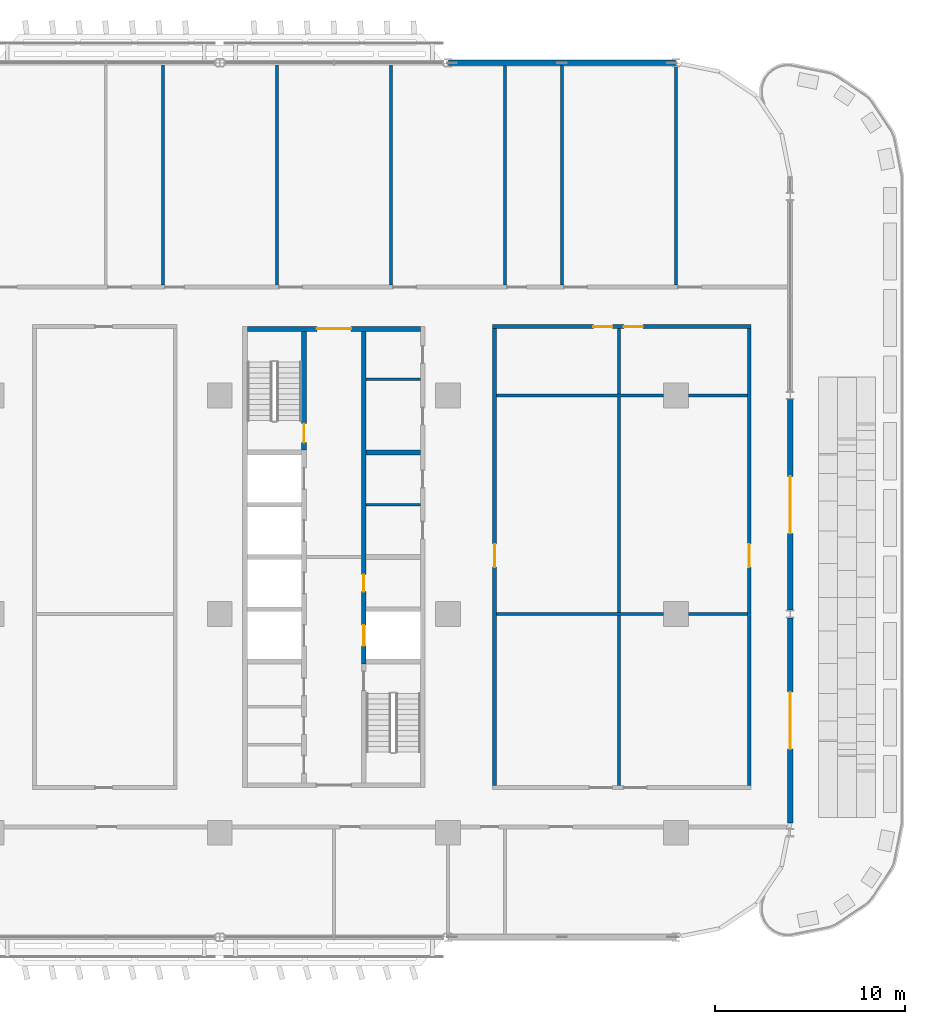
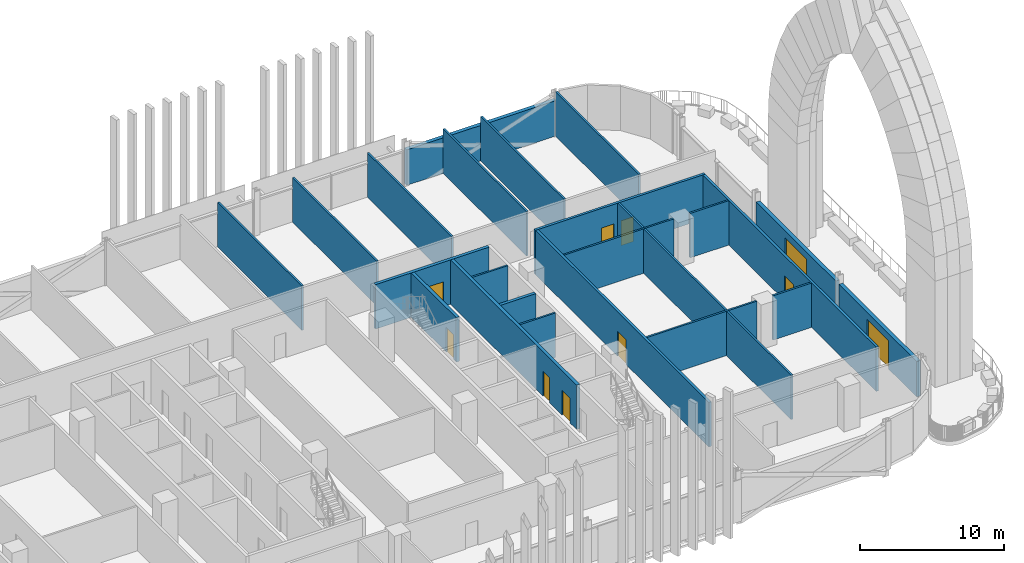
# One storey, part 16 of 33: 23 walls, 10 doors, 10 openings.
"""IFC4 building model written with IfcOpenShell, lengths in metres."""

from ifc_helpers import new_model, si_unit, direction, frame, frame_2d, origin, place, context, subcontext, project, spatial, rectangle, extrude, material, layer, layer_set, type_object, element, fill, save


model = new_model("IFC4")

# Units and contexts
model_context = context("Model", 3, precision=1e-05, world=origin(), true_north=direction((0.0, 1.0)))
body_context = subcontext(model_context, "Body", "Model", "MODEL_VIEW")
ifc_project = project(units=[si_unit("LENGTHUNIT", "METRE"), si_unit("AREAUNIT", "SQUARE_METRE"), si_unit("VOLUMEUNIT", "CUBIC_METRE"), si_unit("PLANEANGLEUNIT", "RADIAN"), si_unit("MASSUNIT", "GRAM", prefix="KILO")], contexts=[model_context])

# Site, building, storey
site_placement = place(None, origin())
site = spatial("IfcSite", under=ifc_project, at=site_placement, CompositionType="ELEMENT")
building_placement = place(site_placement, origin())
building = spatial("IfcBuilding", under=site, at=building_placement, Name="Mahtab Terrace Research Tower", CompositionType="ELEMENT")
storey_placement = place(building_placement, frame((0.0, 0.0, 122.0)))
storey = spatial("IfcBuildingStorey", under=building, at=storey_placement, Name="L28", CompositionType="ELEMENT", Elevation=122.0)

# Walls
ifc_material_1 = material(Name="Gypsum board partition")
ifc_layer_1 = layer(ifc_material_1, 0.14990234375)
ifc_layer_set_1 = layer_set([ifc_layer_1], Name="Core partition 150")
wall_type_1 = type_object("IfcWallType", Name="Core partition 150", PredefinedType="PARTITIONING", material=ifc_layer_set_1)
for number, where, z_axis, x_axis, name in (
    (1, (25.699951171875, 5.75, 0.0), (0.0, 0.0, 1.0), (1.0, 0.0, 0.0), "Core wall C pEL275"),
    (2, (25.699951171875, 12.35498046875, 0.0), (0.0, 0.0, 1.0), (1.0, 0.0, 0.0), "Core wall C pEN936"),
):
    element("IfcWall", number, at=place(storey_placement, frame(where, z_axis=z_axis, x_axis=x_axis)), inside=storey, type_object=wall_type_1, Name=name, PredefinedType="PARTITIONING", context=body_context, shape_type="SweptSolid", body=[
        extrude(rectangle(XDim=2.85009765625, YDim=0.14990234375, at=frame_2d((1.425048828125, 0.0))), origin(), (0.0, 0.0, 1.0), 3.760009765625),
    ])

# Wall, opening, door
ifc_material_2 = material(Name="Concrete C70/85", Category="concrete")
ifc_layer_2 = layer(ifc_material_2, 0.25)
ifc_layer_set_2 = layer_set([ifc_layer_2], Name="Core wall 250")
wall_type_2 = type_object("IfcWallType", Name="Core wall 250", PredefinedType="SOLIDWALL", material=ifc_layer_set_2)
wall_1_placement = place(storey_placement, frame((19.449951171875, 15.0, 0.0), z_axis=(0.0, 0.0, 1.0), x_axis=(1.0, 0.0, 0.0)))
wall_1 = element("IfcWall", 3, at=wall_1_placement, inside=storey, type_object=wall_type_2, Name="Core wall C endN", PredefinedType="SOLIDWALL", context=body_context, shape_type="SweptSolid", body=[
    extrude(rectangle(XDim=9.10009765625, YDim=0.25, at=frame_2d((4.550048828125, 0.0))), origin(), (0.0, 0.0, 1.0), 3.760009765625),
])
opening_1_placement = place(wall_1_placement, frame((3.64990234375, 0.0, 0.0)))
opening_1 = element("IfcOpeningElement", 4, at=opening_1_placement, cuts=wall_1, Name="Opening C-N1", PredefinedType="OPENING", context=body_context, shape_type="SweptSolid", body=[
    extrude(rectangle(XDim=1.800048828125, YDim=2.10009765625, at=frame_2d((0.89990234375, 1.050048828125))), frame((0.0, 0.135009765625, 0.0), z_axis=(0.0, -1.0, 0.0), x_axis=(1.0, 0.0, 0.0)), (0.0, 0.0, 1.0), 0.27001953125),
])
ifc_material_3 = material(Name="Steel fire door", Category="steel")
door_type_1 = type_object("IfcDoorType", Name="Lobby double door 1800x2100 1 HR", OperationType="DOUBLE_DOOR_SINGLE_SWING", PredefinedType="DOOR", material=ifc_material_3)
door_1_placement = place(opening_1_placement, origin())
door_1 = element("IfcDoor", 5, at=door_1_placement, inside=storey, type_object=door_type_1, Name="Core entrance door C N", OperationType="DOUBLE_DOOR_SINGLE_SWING", OverallHeight=2.10009765625, OverallWidth=1.800048828125, PredefinedType="DOOR", context=body_context, shape_type="SweptSolid", body=[
    extrude(rectangle(XDim=1.800048828125, YDim=2.10009765625, at=frame_2d((0.89990234375, 1.050048828125))), frame((0.0, 0.02490234375, 0.0), z_axis=(0.0, -1.0, 0.0), x_axis=(1.0, 0.0, 0.0)), (0.0, 0.0, 1.0), 0.050048828125),
])
fill(opening_1, door_1)

wall_2_placement = place(storey_placement, frame((22.425048828125, 14.875, 0.0), z_axis=(0.0, 0.0, 1.0), x_axis=(0.0, -1.0, 0.0)))
wall_2 = element("IfcWall", 6, at=wall_2_placement, inside=storey, type_object=wall_type_2, Name="Core wall C innerWN", PredefinedType="SOLIDWALL", context=body_context, shape_type="SweptSolid", body=[
    extrude(rectangle(XDim=6.25, YDim=0.25, at=frame_2d((3.125, 0.0))), origin(), (0.0, 0.0, 1.0), 3.760009765625),
])
opening_2_placement = place(wall_2_placement, frame((4.85009765625, 0.0, 0.0)))
opening_2 = element("IfcOpeningElement", 7, at=opening_2_placement, cuts=wall_2, Name="Opening C-ST3", PredefinedType="OPENING", context=body_context, shape_type="SweptSolid", body=[
    extrude(rectangle(XDim=1.0, YDim=2.10009765625, at=frame_2d((0.5, 1.050048828125))), frame((0.0, 0.135009765625, 0.0), z_axis=(0.0, -1.0, 0.0), x_axis=(1.0, 0.0, 0.0)), (0.0, 0.0, 1.0), 0.27001953125),
])
door_type_2 = type_object("IfcDoorType", Name="Stair door 1000x2100 1.5 HR", OperationType="NOTDEFINED", PredefinedType="DOOR", material=ifc_material_3)
door_2_placement = place(opening_2_placement, origin())
door_2 = element("IfcDoor", 8, at=door_2_placement, inside=storey, type_object=door_type_2, Name="Stair door ST3 L28", OperationType="SINGLE_SWING_LEFT", OverallHeight=2.10009765625, OverallWidth=1.0, PredefinedType="DOOR", context=body_context, shape_type="SweptSolid", body=[
    extrude(rectangle(XDim=1.0, YDim=2.10009765625, at=frame_2d((0.5, 1.050048828125))), frame((0.0, 0.02490234375, 0.0), z_axis=(0.0, -1.0, 0.0), x_axis=(1.0, 0.0, 0.0)), (0.0, 0.0, 1.0), 0.050048828125),
])
fill(opening_2, door_2)

# Wall, openings, doors
wall_3_placement = place(storey_placement, frame((25.574951171875, 14.875, 0.0), z_axis=(0.0, 0.0, 1.0), x_axis=(0.0, -1.0, 0.0)))
wall_3 = element("IfcWall", 9, at=wall_3_placement, inside=storey, type_object=wall_type_2, Name="Core wall C innerELN", PredefinedType="SOLIDWALL", context=body_context, shape_type="SweptSolid", body=[
    extrude(rectangle(XDim=17.5, YDim=0.25, at=frame_2d((8.75, 0.0))), origin(), (0.0, 0.0, 1.0), 3.760009765625),
])
opening_3_placement = place(wall_3_placement, frame((15.449951171875, 0.0, 0.0)))
opening_3 = element("IfcOpeningElement", 10, at=opening_3_placement, cuts=wall_3, Name="Opening LD21-L28", PredefinedType="OPENING", context=body_context, shape_type="SweptSolid", body=[
    extrude(rectangle(XDim=1.10009765625, YDim=2.10009765625, at=frame_2d((0.550048828125, 1.050048828125))), frame((0.0, 0.135009765625, 0.0), z_axis=(0.0, -1.0, 0.0), x_axis=(1.0, 0.0, 0.0)), (0.0, 0.0, 1.0), 0.27001953125),
])
opening_4_placement = place(wall_3_placement, frame((12.800048828125, 0.0, 0.0)))
opening_4 = element("IfcOpeningElement", 11, at=opening_4_placement, cuts=wall_3, Name="Opening C-R1", PredefinedType="OPENING", context=body_context, shape_type="SweptSolid", body=[
    extrude(rectangle(XDim=0.89990234375, YDim=2.10009765625, at=frame_2d((0.449951171875, 1.050048828125))), frame((0.0, 0.135009765625, 0.0), z_axis=(0.0, -1.0, 0.0), x_axis=(1.0, 0.0, 0.0)), (0.0, 0.0, 1.0), 0.27001953125),
])
ifc_material_4 = material(Name="Stainless steel AISI 304", Category="steel")
door_type_3 = type_object("IfcDoorType", Name="Landing door 1100x2100", OperationType="DOUBLE_DOOR_SLIDING", PredefinedType="DOOR", material=ifc_material_4)
door_3_placement = place(opening_3_placement, origin())
door_3 = element("IfcDoor", 12, at=door_3_placement, inside=storey, type_object=door_type_3, Name="Landing door SV3 L28", OperationType="DOUBLE_DOOR_SLIDING", OverallHeight=2.10009765625, OverallWidth=1.10009765625, PredefinedType="DOOR", context=body_context, shape_type="SweptSolid", body=[
    extrude(rectangle(XDim=1.10009765625, YDim=2.10009765625, at=frame_2d((0.550048828125, 1.050048828125))), frame((0.0, 0.02490234375, 0.0), z_axis=(0.0, -1.0, 0.0), x_axis=(1.0, 0.0, 0.0)), (0.0, 0.0, 1.0), 0.050048828125),
])
fill(opening_3, door_3)
door_type_4 = type_object("IfcDoorType", Name="Room door 900x2100 1 HR", OperationType="NOTDEFINED", PredefinedType="DOOR", material=ifc_material_3)
door_4_placement = place(opening_4_placement, origin())
door_4 = element("IfcDoor", 13, at=door_4_placement, inside=storey, type_object=door_type_4, Name="Plant room door", OperationType="SINGLE_SWING_LEFT", OverallHeight=2.10009765625, OverallWidth=0.89990234375, PredefinedType="DOOR", context=body_context, shape_type="SweptSolid", body=[
    extrude(rectangle(XDim=0.89990234375, YDim=2.10009765625, at=frame_2d((0.449951171875, 1.050048828125))), frame((0.0, 0.02490234375, 0.0), z_axis=(0.0, -1.0, 0.0), x_axis=(1.0, 0.0, 0.0)), (0.0, 0.0, 1.0), 0.050048828125),
])
fill(opening_4, door_4)

# Walls
wall_4_placement = place(storey_placement, frame((25.699951171875, 8.5, 0.0), z_axis=(0.0, 0.0, 1.0), x_axis=(1.0, 0.0, 0.0)))
element("IfcWall", 14, at=wall_4_placement, inside=storey, type_object=wall_type_2, Name="Core wall C divE4", PredefinedType="SOLIDWALL", context=body_context, shape_type="SweptSolid", body=[
    extrude(rectangle(XDim=2.85009765625, YDim=0.25, at=frame_2d((1.425048828125, 0.0))), origin(), (0.0, 0.0, 1.0), 3.760009765625),
])
ifc_material_5 = material(Name="Black aluminium cladding panel", Category="aluminium")
ifc_layer_3 = layer(ifc_material_5, 0.300048828125)
ifc_layer_set_3 = layer_set([ifc_layer_3], Name="Opaque facade wall 300")
wall_type_3 = type_object("IfcWallType", Name="Opaque facade wall 300", PredefinedType="NOTDEFINED", material=ifc_layer_set_3)
wall_5_placement = place(storey_placement, frame((41.982177734375, 29.0, 0.0), z_axis=(0.0, 0.0, 1.0), x_axis=(-1.0, 0.0, 0.0)))
element("IfcWall", 15, at=wall_5_placement, inside=storey, type_object=wall_type_3, Name="Opaque facade wall L28 N3", PredefinedType="NOTDEFINED", context=body_context, shape_type="SweptSolid", body=[
    extrude(rectangle(XDim=11.96435546875, YDim=0.300048828125, at=frame_2d((5.982177734375, 0.0))), origin(), (0.0, 0.0, 1.0), 3.003173828125),
])

# Wall, opening, door
wall_6_placement = place(storey_placement, frame((48.0, -11.0, 0.0), z_axis=(0.0, 0.0, 1.0), x_axis=(0.0, 1.0, 0.0)))
wall_6 = element("IfcWall", 16, at=wall_6_placement, inside=storey, type_object=wall_type_3, Name="Opaque facade wall L28 E36", PredefinedType="NOTDEFINED", context=body_context, shape_type="SweptSolid", body=[
    extrude(rectangle(XDim=10.781982421875, YDim=0.300048828125, at=frame_2d((5.39111328125, 0.0))), origin(), (0.0, 0.0, 1.0), 3.003173828125),
])
opening_5_placement = place(wall_6_placement, frame((3.89111328125, 0.0, 0.0)))
opening_5 = element("IfcOpeningElement", 17, at=opening_5_placement, cuts=wall_6, Name="Opening ED1", PredefinedType="OPENING", context=body_context, shape_type="SweptSolid", body=[
    extrude(rectangle(XDim=3.0, YDim=2.39990234375, at=frame_2d((1.5, 1.199951171875))), frame((0.0, 0.159912109375, 0.0), z_axis=(0.0, -1.0, 0.0), x_axis=(1.0, 0.0, 0.0)), (0.0, 0.0, 1.0), 0.320068359375),
])
ifc_material_6 = material(Name="Black anodised aluminium", Category="aluminium")
door_type_5 = type_object("IfcDoorType", Name="Terrace double door 3000x2400", OperationType="DOUBLE_DOOR_DOUBLE_SWING", PredefinedType="DOOR", material=ifc_material_6)
door_5_placement = place(opening_5_placement, origin())
door_5 = element("IfcDoor", 18, at=door_5_placement, inside=storey, type_object=door_type_5, Name="Terrace door L28 E", OperationType="SINGLE_SWING_LEFT", OverallHeight=2.39990234375, OverallWidth=3.0, PredefinedType="DOOR", context=body_context, shape_type="SweptSolid", body=[
    extrude(rectangle(XDim=3.0, YDim=2.39990234375, at=frame_2d((1.5, 1.199951171875))), frame((0.0, 0.02490234375, 0.0), z_axis=(0.0, -1.0, 0.0), x_axis=(1.0, 0.0, 0.0)), (0.0, 0.0, 1.0), 0.050048828125),
])
fill(opening_5, door_5)

wall_7_placement = place(storey_placement, frame((48.0, 0.218017578125, 0.0), z_axis=(0.0, 0.0, 1.0), x_axis=(0.0, 1.0, 0.0)))
wall_7 = element("IfcWall", 19, at=wall_7_placement, inside=storey, type_object=wall_type_3, Name="Opaque facade wall L28 E37", PredefinedType="NOTDEFINED", context=body_context, shape_type="SweptSolid", body=[
    extrude(rectangle(XDim=11.06396484375, YDim=0.300048828125, at=frame_2d((5.531982421875, 0.0))), origin(), (0.0, 0.0, 1.0), 3.003173828125),
])
opening_6_placement = place(wall_7_placement, frame((4.031982421875, 0.0, 0.0)))
opening_6 = element("IfcOpeningElement", 20, at=opening_6_placement, cuts=wall_7, Name="Opening ED1", PredefinedType="OPENING", context=body_context, shape_type="SweptSolid", body=[
    extrude(rectangle(XDim=3.0, YDim=2.39990234375, at=frame_2d((1.5, 1.199951171875))), frame((0.0, 0.159912109375, 0.0), z_axis=(0.0, -1.0, 0.0), x_axis=(1.0, 0.0, 0.0)), (0.0, 0.0, 1.0), 0.320068359375),
])
door_6_placement = place(opening_6_placement, origin())
door_6 = element("IfcDoor", 21, at=door_6_placement, inside=storey, type_object=door_type_5, Name="Terrace door L28 E", OperationType="SINGLE_SWING_LEFT", OverallHeight=2.39990234375, OverallWidth=3.0, PredefinedType="DOOR", context=body_context, shape_type="SweptSolid", body=[
    extrude(rectangle(XDim=3.0, YDim=2.39990234375, at=frame_2d((1.5, 1.199951171875))), frame((0.0, 0.02490234375, 0.0), z_axis=(0.0, -1.0, 0.0), x_axis=(1.0, 0.0, 0.0)), (0.0, 0.0, 1.0), 0.050048828125),
])
fill(opening_6, door_6)

# Wall, openings, doors
ifc_material_7 = material(Name="Gypsum board corridor wall on steel studs", Category="steel")
ifc_layer_4 = layer(ifc_material_7, 0.199951171875)
ifc_layer_set_4 = layer_set([ifc_layer_4], Name="WALL CORRIDOR 200")
wall_type_4 = type_object("IfcWallType", Name="WALL CORRIDOR 200", PredefinedType="PARTITIONING", material=ifc_layer_set_4)
wall_8_placement = place(storey_placement, frame((32.35009765625, 15.125, 0.0), z_axis=(0.0, 0.0, 1.0), x_axis=(1.0, 0.0, 0.0)))
wall_8 = element("IfcWall", 22, at=wall_8_placement, inside=storey, type_object=wall_type_4, Name="L28-W026", PredefinedType="PARTITIONING", context=body_context, shape_type="SweptSolid", body=[
    extrude(rectangle(XDim=13.599853515625, YDim=0.199951171875, at=frame_2d((6.7998046875, 0.0))), origin(), (0.0, 0.0, 1.0), 3.760009765625),
])
opening_7_placement = place(wall_8_placement, frame((5.300048828125, 0.0, 0.0)))
opening_7 = element("IfcOpeningElement", 23, at=opening_7_placement, cuts=wall_8, Name="Opening L28-124", PredefinedType="OPENING", context=body_context, shape_type="SweptSolid", body=[
    extrude(rectangle(XDim=1.0, YDim=2.10009765625, at=frame_2d((0.5, 1.050048828125))), frame((0.0, 0.10986328125, 0.0), z_axis=(0.0, -1.0, 0.0), x_axis=(1.0, 0.0, 0.0)), (0.0, 0.0, 1.0), 0.219970703125),
])
opening_8_placement = place(wall_8_placement, frame((6.89990234375, 0.0, 0.0)))
opening_8 = element("IfcOpeningElement", 24, at=opening_8_placement, cuts=wall_8, Name="Opening L28-125", PredefinedType="OPENING", context=body_context, shape_type="SweptSolid", body=[
    extrude(rectangle(XDim=1.0, YDim=2.10009765625, at=frame_2d((0.5, 1.050048828125))), frame((0.0, 0.10986328125, 0.0), z_axis=(0.0, -1.0, 0.0), x_axis=(1.0, 0.0, 0.0)), (0.0, 0.0, 1.0), 0.219970703125),
])
ifc_material_8 = material(Name="Timber door leaf in steel frame", Category="steel")
door_type_6 = type_object("IfcDoorType", Name="DOOR 1000X2100 FD30S", OperationType="SINGLE_SWING_LEFT", PredefinedType="DOOR", material=ifc_material_8)
door_7_placement = place(opening_7_placement, origin())
door_7 = element("IfcDoor", 25, at=door_7_placement, inside=storey, type_object=door_type_6, Name="Door L28-124", OperationType="SINGLE_SWING_RIGHT", OverallHeight=2.10009765625, OverallWidth=1.0, PredefinedType="DOOR", context=body_context, shape_type="SweptSolid", body=[
    extrude(rectangle(XDim=1.0, YDim=2.10009765625, at=frame_2d((0.5, 1.050048828125))), frame((0.0, 0.02490234375, 0.0), z_axis=(0.0, -1.0, 0.0), x_axis=(1.0, 0.0, 0.0)), (0.0, 0.0, 1.0), 0.050048828125),
])
fill(opening_7, door_7)
door_8_placement = place(opening_8_placement, origin())
door_8 = element("IfcDoor", 26, at=door_8_placement, inside=storey, type_object=door_type_6, Name="Door L28-125", OperationType="SINGLE_SWING_LEFT", OverallHeight=2.10009765625, OverallWidth=1.0, PredefinedType="DOOR", context=body_context, shape_type="SweptSolid", body=[
    extrude(rectangle(XDim=1.0, YDim=2.10009765625, at=frame_2d((0.5, 1.050048828125))), frame((0.0, 0.02490234375, 0.0), z_axis=(0.0, -1.0, 0.0), x_axis=(1.0, 0.0, 0.0)), (0.0, 0.0, 1.0), 0.050048828125),
])
fill(opening_8, door_8)

# Wall, opening, door
wall_9_placement = place(storey_placement, frame((32.449951171875, -9.02490234375, 0.0), z_axis=(0.0, 0.0, 1.0), x_axis=(0.0, 1.0, 0.0)))
wall_9 = element("IfcWall", 27, at=wall_9_placement, inside=storey, type_object=wall_type_4, Name="L28-W057", PredefinedType="PARTITIONING", context=body_context, shape_type="SweptSolid", body=[
    extrude(rectangle(XDim=24.0498046875, YDim=0.199951171875, at=frame_2d((12.02490234375, 0.0))), origin(), (0.0, 0.0, 1.0), 3.760009765625),
])
opening_9_placement = place(wall_9_placement, frame((11.5, 0.0, 0.0)))
opening_9 = element("IfcOpeningElement", 28, at=opening_9_placement, cuts=wall_9, Name="Opening L28-118", PredefinedType="OPENING", context=body_context, shape_type="SweptSolid", body=[
    extrude(rectangle(XDim=1.199951171875, YDim=2.10009765625, at=frame_2d((0.60009765625, 1.050048828125))), frame((0.0, 0.10986328125, 0.0), z_axis=(0.0, -1.0, 0.0), x_axis=(1.0, 0.0, 0.0)), (0.0, 0.0, 1.0), 0.219970703125),
])
door_type_7 = type_object("IfcDoorType", Name="DOOR 1200X2100 FD30S", OperationType="SINGLE_SWING_LEFT", PredefinedType="DOOR", material=ifc_material_8)
door_9_placement = place(opening_9_placement, origin())
door_9 = element("IfcDoor", 29, at=door_9_placement, inside=storey, type_object=door_type_7, Name="Door L28-118", OperationType="SINGLE_SWING_LEFT", OverallHeight=2.10009765625, OverallWidth=1.199951171875, PredefinedType="DOOR", context=body_context, shape_type="SweptSolid", body=[
    extrude(rectangle(XDim=1.199951171875, YDim=2.10009765625, at=frame_2d((0.60009765625, 1.050048828125))), frame((0.0, 0.02490234375, 0.0), z_axis=(0.0, -1.0, 0.0), x_axis=(1.0, 0.0, 0.0)), (0.0, 0.0, 1.0), 0.050048828125),
])
fill(opening_9, door_9)

wall_10_placement = place(storey_placement, frame((45.85009765625, -9.02490234375, 0.0), z_axis=(0.0, 0.0, 1.0), x_axis=(0.0, 1.0, 0.0)))
wall_10 = element("IfcWall", 30, at=wall_10_placement, inside=storey, type_object=wall_type_4, Name="L28-W063", PredefinedType="PARTITIONING", context=body_context, shape_type="SweptSolid", body=[
    extrude(rectangle(XDim=24.0498046875, YDim=0.199951171875, at=frame_2d((12.02490234375, 0.0))), origin(), (0.0, 0.0, 1.0), 3.760009765625),
])
opening_10_placement = place(wall_10_placement, frame((11.5, 0.0, 0.0)))
opening_10 = element("IfcOpeningElement", 31, at=opening_10_placement, cuts=wall_10, Name="Opening L28-119", PredefinedType="OPENING", context=body_context, shape_type="SweptSolid", body=[
    extrude(rectangle(XDim=1.199951171875, YDim=2.10009765625, at=frame_2d((0.60009765625, 1.050048828125))), frame((0.0, 0.10986328125, 0.0), z_axis=(0.0, -1.0, 0.0), x_axis=(1.0, 0.0, 0.0)), (0.0, 0.0, 1.0), 0.219970703125),
])
door_10_placement = place(opening_10_placement, origin())
door_10 = element("IfcDoor", 32, at=door_10_placement, inside=storey, type_object=door_type_7, Name="Door L28-119", OperationType="SINGLE_SWING_RIGHT", OverallHeight=2.10009765625, OverallWidth=1.199951171875, PredefinedType="DOOR", context=body_context, shape_type="SweptSolid", body=[
    extrude(rectangle(XDim=1.199951171875, YDim=2.10009765625, at=frame_2d((0.60009765625, 1.050048828125))), frame((0.0, 0.02490234375, 0.0), z_axis=(0.0, -1.0, 0.0), x_axis=(1.0, 0.0, 0.0)), (0.0, 0.0, 1.0), 0.050048828125),
])
fill(opening_10, door_10)

# Walls
ifc_material_9 = material(Name="Gypsum board partition on steel studs", Category="steel")
ifc_layer_5 = layer(ifc_material_9, 0.14990234375)
ifc_layer_set_5 = layer_set([ifc_layer_5], Name="WALL PARTITION 150")
wall_type_5 = type_object("IfcWallType", Name="WALL PARTITION 150", PredefinedType="PARTITIONING", material=ifc_layer_set_5)
wall_11_placement = place(storey_placement, frame((32.550048828125, 0.0, 0.0), z_axis=(0.0, 0.0, 1.0), x_axis=(1.0, 0.0, 0.0)))
element("IfcWall", 33, at=wall_11_placement, inside=storey, type_object=wall_type_5, Name="L28-W018", PredefinedType="PARTITIONING", context=body_context, shape_type="SweptSolid", body=[
    extrude(rectangle(XDim=8.800048828125, YDim=0.14990234375, at=frame_2d((4.39990234375, 0.0))), origin(), (0.0, 0.0, 1.0), 3.760009765625),
])
wall_12_placement = place(storey_placement, frame((42.64990234375, 0.0, 0.0), z_axis=(0.0, 0.0, 1.0), x_axis=(1.0, 0.0, 0.0)))
element("IfcWall", 34, at=wall_12_placement, inside=storey, type_object=wall_type_5, Name="L28-W019", PredefinedType="PARTITIONING", context=body_context, shape_type="SweptSolid", body=[
    extrude(rectangle(XDim=3.10009765625, YDim=0.14990234375, at=frame_2d((1.550048828125, 0.0))), origin(), (0.0, 0.0, 1.0), 3.760009765625),
])
wall_13_placement = place(storey_placement, frame((32.550048828125, 11.5, 0.0), z_axis=(0.0, 0.0, 1.0), x_axis=(1.0, 0.0, 0.0)))
element("IfcWall", 35, at=wall_13_placement, inside=storey, type_object=wall_type_5, Name="L28-W021", PredefinedType="PARTITIONING", context=body_context, shape_type="SweptSolid", body=[
    extrude(rectangle(XDim=8.800048828125, YDim=0.14990234375, at=frame_2d((4.39990234375, 0.0))), origin(), (0.0, 0.0, 1.0), 3.760009765625),
])
wall_14_placement = place(storey_placement, frame((42.64990234375, 11.5, 0.0), z_axis=(0.0, 0.0, 1.0), x_axis=(1.0, 0.0, 0.0)))
element("IfcWall", 36, at=wall_14_placement, inside=storey, type_object=wall_type_5, Name="L28-W022", PredefinedType="PARTITIONING", context=body_context, shape_type="SweptSolid", body=[
    extrude(rectangle(XDim=3.10009765625, YDim=0.14990234375, at=frame_2d((1.550048828125, 0.0))), origin(), (0.0, 0.0, 1.0), 3.760009765625),
])
for number, where, z_axis, x_axis, name in (
    (37, (15.0, 17.300048828125, 0.0), (0.0, 0.0, 1.0), (0.0, 1.0, 0.0), "L28-W051"),
    (38, (21.0, 17.300048828125, 0.0), (0.0, 0.0, 1.0), (0.0, 1.0, 0.0), "L28-W053"),
    (39, (27.0, 17.300048828125, 0.0), (0.0, 0.0, 1.0), (0.0, 1.0, 0.0), "L28-W055"),
):
    element("IfcWall", number, at=place(storey_placement, frame(where, z_axis=z_axis, x_axis=x_axis)), inside=storey, type_object=wall_type_5, Name=name, PredefinedType="PARTITIONING", context=body_context, shape_type="SweptSolid", body=[
        extrude(rectangle(XDim=11.675048828125, YDim=0.14990234375, at=frame_2d((5.83740234375, 0.0))), origin(), (0.0, 0.0, 1.0), 3.760009765625),
    ])
for number, where, z_axis, x_axis, name in (
    (40, (33.0, 17.300048828125, 0.0), (0.0, 0.0, 1.0), (0.0, 1.0, 0.0), "L28-W059"),
    (41, (36.0, 17.300048828125, 0.0), (0.0, 0.0, 1.0), (0.0, 1.0, 0.0), "L28-W060"),
):
    element("IfcWall", number, at=place(storey_placement, frame(where, z_axis=z_axis, x_axis=x_axis)), inside=storey, type_object=wall_type_5, Name=name, PredefinedType="PARTITIONING", context=body_context, shape_type="SweptSolid", body=[
        extrude(rectangle(XDim=11.550048828125, YDim=0.14990234375, at=frame_2d((5.77490234375, 0.0))), origin(), (0.0, 0.0, 1.0), 3.760009765625),
    ])
wall_15_placement = place(storey_placement, frame((39.0, -9.02490234375, 0.0), z_axis=(0.0, 0.0, 1.0), x_axis=(0.0, 1.0, 0.0)))
element("IfcWall", 42, at=wall_15_placement, inside=storey, type_object=wall_type_5, Name="L28-W061", PredefinedType="PARTITIONING", context=body_context, shape_type="SweptSolid", body=[
    extrude(rectangle(XDim=24.0498046875, YDim=0.14990234375, at=frame_2d((12.02490234375, 0.0))), origin(), (0.0, 0.0, 1.0), 3.760009765625),
])
wall_16_placement = place(storey_placement, frame((42.0, 17.300048828125, 0.0), z_axis=(0.0, 0.0, 1.0), x_axis=(0.0, 1.0, 0.0)))
element("IfcWall", 43, at=wall_16_placement, inside=storey, type_object=wall_type_5, Name="L28-W062", PredefinedType="PARTITIONING", context=body_context, shape_type="SweptSolid", body=[
    extrude(rectangle(XDim=11.547119140625, YDim=0.14990234375, at=frame_2d((5.7734375, 0.0))), origin(), (0.0, 0.0, 1.0), 3.760009765625),
])

save(model, "model.ifc")
